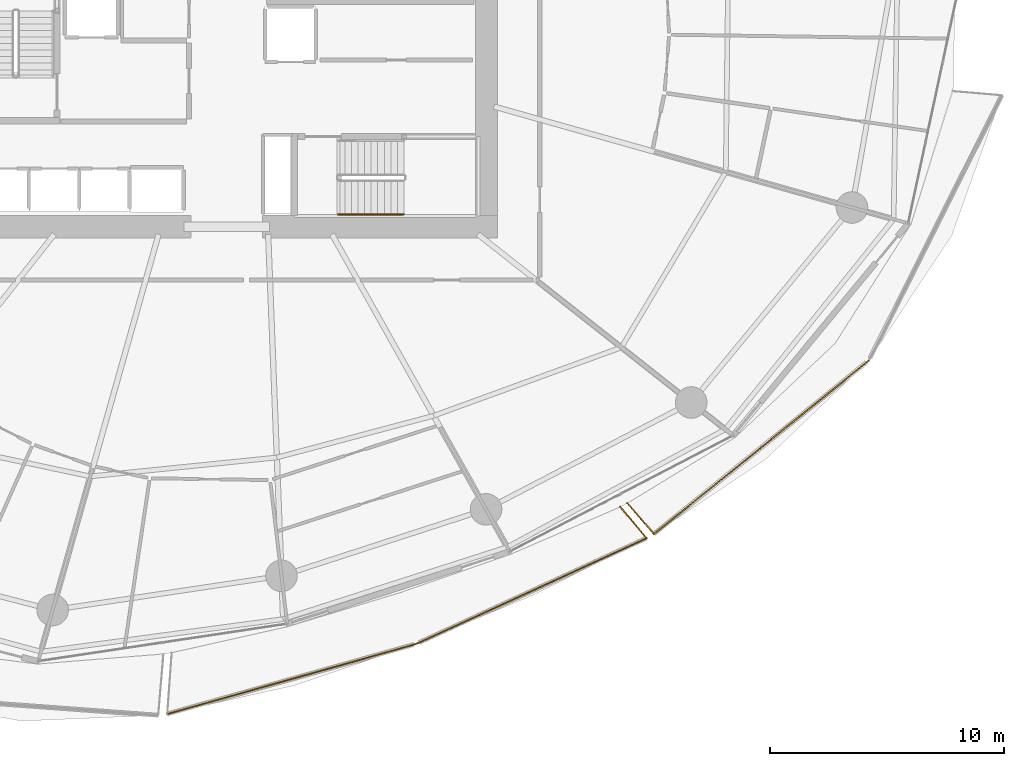
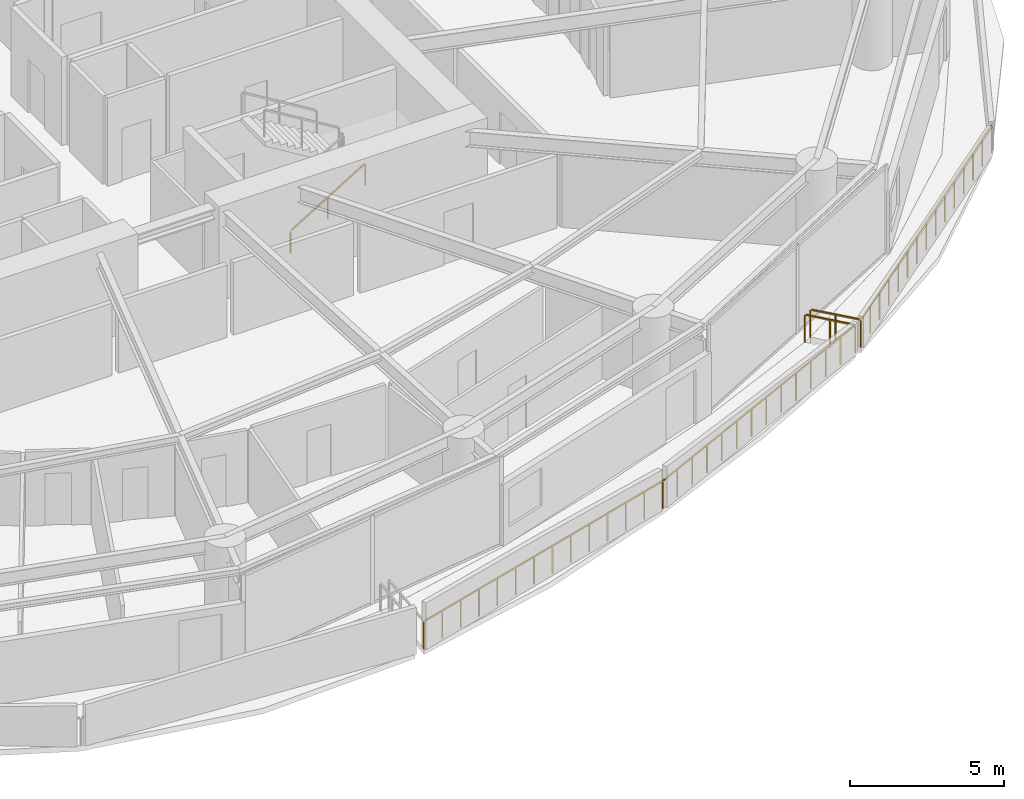
# One storey, part 27 of 31: 6 railings.
"""IFC4 building model written with IfcOpenShell, lengths in metres."""

from ifc_helpers import new_model, si_unit, direction, frame, origin, origin_2d, place, context, subcontext, project, spatial, rectangle, extrude, material, type_object, element, save


model = new_model("IFC4")

# Units and contexts
model_context = context("Model", 3, precision=1e-05, world=origin(), true_north=direction((0.0, 1.0)))
body_context = subcontext(model_context, "Body", "Model", "MODEL_VIEW")
ifc_project = project(units=[si_unit("LENGTHUNIT", "METRE"), si_unit("AREAUNIT", "SQUARE_METRE"), si_unit("VOLUMEUNIT", "CUBIC_METRE"), si_unit("PLANEANGLEUNIT", "RADIAN"), si_unit("MASSUNIT", "GRAM", prefix="KILO")], contexts=[model_context])

# Site, building, storey
site_placement = place(None, origin())
site = spatial("IfcSite", under=ifc_project, at=site_placement, CompositionType="ELEMENT")
building_placement = place(site_placement, origin())
building = spatial("IfcBuilding", under=site, at=building_placement, Name="Kazma Halo Residences", CompositionType="ELEMENT")
storey_placement = place(building_placement, frame((0.0, 0.0, 48.89990234375)))
storey = spatial("IfcBuildingStorey", under=building, at=storey_placement, Name="L11", CompositionType="ELEMENT", Elevation=48.89990234375)

# Railings
ifc_material_1 = material(Name="Aluminium AW-6063 T6 Brushed Cap Rail", Category="aluminium")
railing_type_1 = type_object("IfcRailingType", Name="RLG-BAL-CAP-1120", PredefinedType="BALUSTRADE", material=ifc_material_1)
railing_1_placement = place(storey_placement, frame((45.874267578125, 12.701416015625, 0.0)))
element("IfcRailing", 1, at=railing_1_placement, inside=storey, type_object=railing_type_1, Name="L11 SSE wave balcony guard 2", PredefinedType="BALUSTRADE", context=body_context, shape_type="SweptSolid", body=[
    extrude(rectangle(XDim=0.050048828125, YDim=0.050048828125, at=origin_2d()), frame((0.041015625, 0.011474609375, 1.09521484375), z_axis=(0.962607692891, 0.270899297871, 0.0), x_axis=(-0.270899297871, 0.962607692891, 0.0)), (0.0, 0.0, 1.0), 10.9990234375),
    extrude(rectangle(XDim=0.0400390625, YDim=0.0400390625, at=origin_2d()), origin(), (0.0, 0.0, 1.0), 1.05810546875),
    extrude(rectangle(XDim=0.0400390625, YDim=0.0400390625, at=origin_2d()), frame((0.82080078125, 0.23095703125, 0.0)), (0.0, 0.0, 1.0), 1.05810546875),
    extrude(rectangle(XDim=0.0400390625, YDim=0.0400390625, at=origin_2d()), frame((1.6416015625, 0.4619140625, 0.0)), (0.0, 0.0, 1.0), 1.05810546875),
    extrude(rectangle(XDim=0.0400390625, YDim=0.0400390625, at=origin_2d()), frame((2.462158203125, 0.69287109375, 0.0)), (0.0, 0.0, 1.0), 1.05810546875),
    extrude(rectangle(XDim=0.0400390625, YDim=0.0400390625, at=origin_2d()), frame((3.282958984375, 0.923828125, 0.0)), (0.0, 0.0, 1.0), 1.05810546875),
    extrude(rectangle(XDim=0.0400390625, YDim=0.0400390625, at=origin_2d()), frame((4.103759765625, 1.15478515625, 0.0)), (0.0, 0.0, 1.0), 1.05810546875),
    extrude(rectangle(XDim=0.0400390625, YDim=0.0400390625, at=origin_2d()), frame((4.924560546875, 1.3857421875, 0.0)), (0.0, 0.0, 1.0), 1.05810546875),
    extrude(rectangle(XDim=0.0400390625, YDim=0.0400390625, at=origin_2d()), frame((5.7451171875, 1.616943359375, 0.0)), (0.0, 0.0, 1.0), 1.05810546875),
    extrude(rectangle(XDim=0.0400390625, YDim=0.0400390625, at=origin_2d()), frame((6.56591796875, 1.847900390625, 0.0)), (0.0, 0.0, 1.0), 1.05810546875),
    extrude(rectangle(XDim=0.0400390625, YDim=0.0400390625, at=origin_2d()), frame((7.38671875, 2.078857421875, 0.0)), (0.0, 0.0, 1.0), 1.05810546875),
    extrude(rectangle(XDim=0.0400390625, YDim=0.0400390625, at=origin_2d()), frame((8.20751953125, 2.309814453125, 0.0)), (0.0, 0.0, 1.0), 1.05810546875),
    extrude(rectangle(XDim=0.0400390625, YDim=0.0400390625, at=origin_2d()), frame((9.028076171875, 2.540771484375, 0.0)), (0.0, 0.0, 1.0), 1.05810546875),
    extrude(rectangle(XDim=0.0400390625, YDim=0.0400390625, at=origin_2d()), frame((9.848876953125, 2.771728515625, 0.0)), (0.0, 0.0, 1.0), 1.05810546875),
    extrude(rectangle(XDim=0.0400390625, YDim=0.0400390625, at=origin_2d()), frame((10.669677734375, 3.002685546875, 0.0)), (0.0, 0.0, 1.0), 1.05810546875),
])
railing_2_placement = place(storey_placement, frame((56.5439453125, 15.7041015625, 0.0)))
element("IfcRailing", 2, at=railing_2_placement, inside=storey, type_object=railing_type_1, Name="L11 SSE wave balcony guard 3", PredefinedType="BALUSTRADE", context=body_context, shape_type="SweptSolid", body=[
    extrude(rectangle(XDim=0.050048828125, YDim=0.050048828125, at=origin_2d()), frame((0.03857421875, 0.017822265625, 1.09521484375), z_axis=(0.908696513556, 0.417457358603, 0.0), x_axis=(-0.417457358603, 0.908696513556, 0.0)), (0.0, 0.0, 1.0), 10.73193359375),
    extrude(rectangle(XDim=0.0400390625, YDim=0.0400390625, at=origin_2d()), origin(), (0.0, 0.0, 1.0), 1.05810546875),
    extrude(rectangle(XDim=0.0400390625, YDim=0.0400390625, at=origin_2d()), frame((0.756103515625, 0.347412109375, 0.0)), (0.0, 0.0, 1.0), 1.05810546875),
    extrude(rectangle(XDim=0.0400390625, YDim=0.0400390625, at=origin_2d()), frame((1.51220703125, 0.69482421875, 0.0)), (0.0, 0.0, 1.0), 1.05810546875),
    extrude(rectangle(XDim=0.0400390625, YDim=0.0400390625, at=origin_2d()), frame((2.268310546875, 1.0419921875, 0.0)), (0.0, 0.0, 1.0), 1.05810546875),
    extrude(rectangle(XDim=0.0400390625, YDim=0.0400390625, at=origin_2d()), frame((3.0244140625, 1.389404296875, 0.0)), (0.0, 0.0, 1.0), 1.05810546875),
    extrude(rectangle(XDim=0.0400390625, YDim=0.0400390625, at=origin_2d()), frame((3.780517578125, 1.73681640625, 0.0)), (0.0, 0.0, 1.0), 1.05810546875),
    extrude(rectangle(XDim=0.0400390625, YDim=0.0400390625, at=origin_2d()), frame((4.53662109375, 2.084228515625, 0.0)), (0.0, 0.0, 1.0), 1.05810546875),
    extrude(rectangle(XDim=0.0400390625, YDim=0.0400390625, at=origin_2d()), frame((5.292724609375, 2.431396484375, 0.0)), (0.0, 0.0, 1.0), 1.05810546875),
    extrude(rectangle(XDim=0.0400390625, YDim=0.0400390625, at=origin_2d()), frame((6.048828125, 2.77880859375, 0.0)), (0.0, 0.0, 1.0), 1.05810546875),
    extrude(rectangle(XDim=0.0400390625, YDim=0.0400390625, at=origin_2d()), frame((6.804931640625, 3.126220703125, 0.0)), (0.0, 0.0, 1.0), 1.05810546875),
    extrude(rectangle(XDim=0.0400390625, YDim=0.0400390625, at=origin_2d()), frame((7.56103515625, 3.4736328125, 0.0)), (0.0, 0.0, 1.0), 1.05810546875),
    extrude(rectangle(XDim=0.0400390625, YDim=0.0400390625, at=origin_2d()), frame((8.317138671875, 3.82080078125, 0.0)), (0.0, 0.0, 1.0), 1.05810546875),
    extrude(rectangle(XDim=0.0400390625, YDim=0.0400390625, at=origin_2d()), frame((9.0732421875, 4.168212890625, 0.0)), (0.0, 0.0, 1.0), 1.05810546875),
    extrude(rectangle(XDim=0.0400390625, YDim=0.0400390625, at=origin_2d()), frame((9.829345703125, 4.515625, 0.0)), (0.0, 0.0, 1.0), 1.05810546875),
])
railing_3_placement = place(storey_placement, frame((66.373291015625, 20.2197265625, 0.0)))
element("IfcRailing", 3, at=railing_3_placement, inside=storey, type_object=railing_type_1, Name="L11 SSE wave balcony guard 4", PredefinedType="BALUSTRADE", context=body_context, shape_type="SweptSolid", body=[
    extrude(rectangle(XDim=0.050048828125, YDim=0.050048828125, at=origin_2d()), frame((-0.02734375, 0.032470703125, 1.09521484375), z_axis=(-0.64482495794, 0.764330277836, 0.0), x_axis=(-0.764330277836, -0.64482495794, 0.0)), (0.0, 0.0, 1.0), 1.65966796875),
    extrude(rectangle(XDim=0.0400390625, YDim=0.0400390625, at=origin_2d()), origin(), (0.0, 0.0, 1.0), 1.05810546875),
    extrude(rectangle(XDim=0.0400390625, YDim=0.0400390625, at=origin_2d()), frame((-0.5625, 0.666748046875, 0.0)), (0.0, 0.0, 1.0), 1.05810546875),
    extrude(rectangle(XDim=0.0400390625, YDim=0.0400390625, at=origin_2d()), frame((-1.125, 1.33349609375, 0.0)), (0.0, 0.0, 1.0), 1.05810546875),
])
railing_4_placement = place(storey_placement, frame((65.546142578125, 21.70849609375, 0.0)))
element("IfcRailing", 4, at=railing_4_placement, inside=storey, type_object=railing_type_1, Name="L11 SE wave balcony guard 1", PredefinedType="BALUSTRADE", context=body_context, shape_type="SweptSolid", body=[
    extrude(rectangle(XDim=0.050048828125, YDim=0.050048828125, at=origin_2d()), frame((0.02783203125, -0.0322265625, 1.09521484375), z_axis=(0.654073667873, -0.756430854074, 0.0), x_axis=(0.756430854074, 0.654073667873, 0.0)), (0.0, 0.0, 1.0), 1.6513671875),
    extrude(rectangle(XDim=0.0400390625, YDim=0.0400390625, at=origin_2d()), origin(), (0.0, 0.0, 1.0), 1.05810546875),
    extrude(rectangle(XDim=0.0400390625, YDim=0.0400390625, at=origin_2d()), frame((0.56787109375, -0.65673828125, 0.0)), (0.0, 0.0, 1.0), 1.05810546875),
    extrude(rectangle(XDim=0.0400390625, YDim=0.0400390625, at=origin_2d()), frame((1.1357421875, -1.3134765625, 0.0)), (0.0, 0.0, 1.0), 1.05810546875),
])
railing_5_placement = place(storey_placement, frame((66.681884765625, 20.39501953125, 0.0)))
element("IfcRailing", 5, at=railing_5_placement, inside=storey, type_object=railing_type_1, Name="L11 SE wave balcony guard 2", PredefinedType="BALUSTRADE", context=body_context, shape_type="SweptSolid", body=[
    extrude(rectangle(XDim=0.050048828125, YDim=0.050048828125, at=origin_2d()), frame((0.033203125, 0.026611328125, 1.09521484375), z_axis=(0.778157860784, 0.628068741222, 0.0), x_axis=(-0.628068741222, 0.778157860784, 0.0)), (0.0, 0.0, 1.0), 11.711181640625),
    extrude(rectangle(XDim=0.0400390625, YDim=0.0400390625, at=origin_2d()), origin(), (0.0, 0.0, 1.0), 1.05810546875),
    extrude(rectangle(XDim=0.0400390625, YDim=0.0400390625, at=origin_2d()), frame((0.65576171875, 0.529296875, 0.0)), (0.0, 0.0, 1.0), 1.05810546875),
    extrude(rectangle(XDim=0.0400390625, YDim=0.0400390625, at=origin_2d()), frame((1.311279296875, 1.058349609375, 0.0)), (0.0, 0.0, 1.0), 1.05810546875),
    extrude(rectangle(XDim=0.0400390625, YDim=0.0400390625, at=origin_2d()), frame((1.967041015625, 1.587646484375, 0.0)), (0.0, 0.0, 1.0), 1.05810546875),
    extrude(rectangle(XDim=0.0400390625, YDim=0.0400390625, at=origin_2d()), frame((2.622802734375, 2.116943359375, 0.0)), (0.0, 0.0, 1.0), 1.05810546875),
    extrude(rectangle(XDim=0.0400390625, YDim=0.0400390625, at=origin_2d()), frame((3.2783203125, 2.64599609375, 0.0)), (0.0, 0.0, 1.0), 1.05810546875),
    extrude(rectangle(XDim=0.0400390625, YDim=0.0400390625, at=origin_2d()), frame((3.93408203125, 3.17529296875, 0.0)), (0.0, 0.0, 1.0), 1.05810546875),
    extrude(rectangle(XDim=0.0400390625, YDim=0.0400390625, at=origin_2d()), frame((4.58984375, 3.70458984375, 0.0)), (0.0, 0.0, 1.0), 1.05810546875),
    extrude(rectangle(XDim=0.0400390625, YDim=0.0400390625, at=origin_2d()), frame((5.245361328125, 4.233642578125, 0.0)), (0.0, 0.0, 1.0), 1.05810546875),
    extrude(rectangle(XDim=0.0400390625, YDim=0.0400390625, at=origin_2d()), frame((5.901123046875, 4.762939453125, 0.0)), (0.0, 0.0, 1.0), 1.05810546875),
    extrude(rectangle(XDim=0.0400390625, YDim=0.0400390625, at=origin_2d()), frame((6.556640625, 5.2919921875, 0.0)), (0.0, 0.0, 1.0), 1.05810546875),
    extrude(rectangle(XDim=0.0400390625, YDim=0.0400390625, at=origin_2d()), frame((7.21240234375, 5.8212890625, 0.0)), (0.0, 0.0, 1.0), 1.05810546875),
    extrude(rectangle(XDim=0.0400390625, YDim=0.0400390625, at=origin_2d()), frame((7.8681640625, 6.3505859375, 0.0)), (0.0, 0.0, 1.0), 1.05810546875),
    extrude(rectangle(XDim=0.0400390625, YDim=0.0400390625, at=origin_2d()), frame((8.523681640625, 6.879638671875, 0.0)), (0.0, 0.0, 1.0), 1.05810546875),
    extrude(rectangle(XDim=0.0400390625, YDim=0.0400390625, at=origin_2d()), frame((9.179443359375, 7.408935546875, 0.0)), (0.0, 0.0, 1.0), 1.05810546875),
])
ifc_material_2 = material(Name="Brushed Stainless Steel", Category="steel")
railing_type_2 = type_object("IfcRailingType", Name="RLG-STAIR-HND-900", PredefinedType="HANDRAIL", material=ifc_material_2)
railing_6_placement = place(storey_placement, frame((53.199951171875, 34.050048828125, 0.170654296875)))
element("IfcRailing", 6, at=railing_6_placement, inside=storey, type_object=railing_type_2, Name="L11 ST-03 stair handrail 1", PredefinedType="HANDRAIL", context=body_context, shape_type="SweptSolid", body=[
    extrude(rectangle(XDim=0.050048828125, YDim=0.050048828125, at=origin_2d()), frame((0.036376953125, 0.0, 0.89697265625), z_axis=(0.854202870247, 0.0, 0.519939858505), x_axis=(0.0, 1.0, 0.0)), (0.0, 0.0, 1.0), 3.19287109375),
    extrude(rectangle(XDim=0.0400390625, YDim=0.0400390625, at=origin_2d()), origin(), (0.0, 0.0, 1.0), 0.837890625),
    extrude(rectangle(XDim=0.0400390625, YDim=0.0400390625, at=origin_2d()), frame((1.39990234375, 0.0, 0.85205078125)), (0.0, 0.0, 1.0), 0.837890625),
    extrude(rectangle(XDim=0.0400390625, YDim=0.0400390625, at=origin_2d()), frame((2.800048828125, 0.0, 1.704345703125)), (0.0, 0.0, 1.0), 0.837890625),
])

save(model, "model.ifc")
